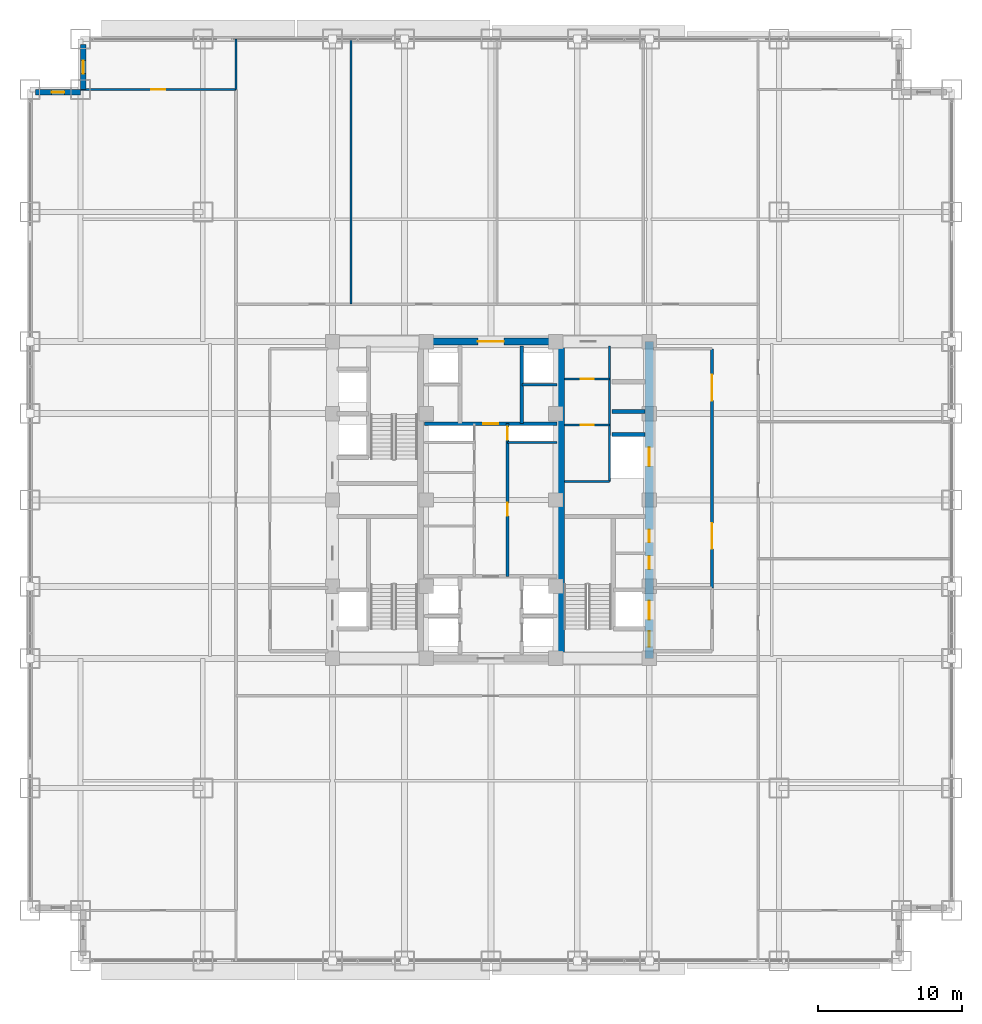
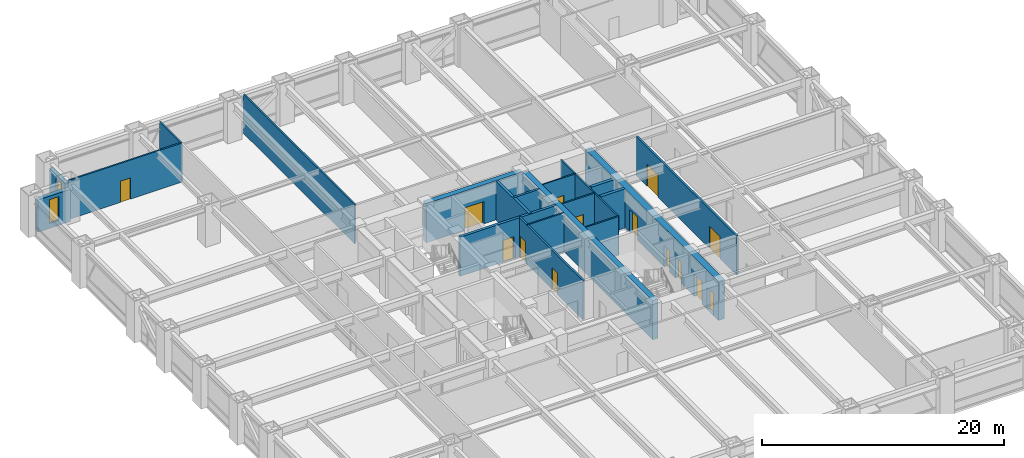
# One storey, part 25 of 31: 20 walls, 14 doors, 2 windows, 16 openings.
"""IFC4 building model written with IfcOpenShell, lengths in metres."""

from ifc_helpers import new_model, si_unit, direction, frame, frame_2d, origin, place, context, subcontext, project, spatial, rectangle, extrude, source, transform, mapped, material, layer, layer_set, type_object, element, fill, save


model = new_model("IFC4")

# Units and contexts
model_context = context("Model", 3, precision=1e-05, world=origin(), true_north=direction((0.0, 1.0)))
body_context = subcontext(model_context, "Body", "Model", "MODEL_VIEW")
ifc_project = project(units=[si_unit("LENGTHUNIT", "METRE"), si_unit("AREAUNIT", "SQUARE_METRE"), si_unit("VOLUMEUNIT", "CUBIC_METRE"), si_unit("PLANEANGLEUNIT", "RADIAN"), si_unit("MASSUNIT", "GRAM", prefix="KILO")], contexts=[model_context])

# Site, building, storey
site_placement = place(None, origin())
site = spatial("IfcSite", under=ifc_project, at=site_placement, CompositionType="ELEMENT")
building_placement = place(site_placement, origin())
building = spatial("IfcBuilding", under=site, at=building_placement, Name="Khorayat Bourse Tower", CompositionType="ELEMENT")
storey_placement = place(building_placement, frame((0.0, 0.0, 36.800048828125)))
storey = spatial("IfcBuildingStorey", under=building, at=storey_placement, Name="L07", CompositionType="ELEMENT", Elevation=36.800048828125)

# Wall, openings, doors
ifc_material_1 = material(Name="Concrete C60/75", Category="concrete")
ifc_layer_1 = layer(ifc_material_1, 0.60009765625)
ifc_layer_set_1 = layer_set([ifc_layer_1], Name="Concrete C60/75")
wall_type_1 = type_object("IfcWallType", Name="WAL-CORE-600", PredefinedType="SHEAR", material=ifc_layer_set_1)
shared_shape_1 = source(origin(), body_context, "Body", "SweptSolid", [
    extrude(rectangle(XDim=22.0, YDim=0.60009765625, at=frame_2d((11.0, 0.0))), origin(), (0.0, 0.0, 1.0), 3.93994140625),
])
wall_1_placement = place(storey_placement, frame((11.0, -11.0, 0.0), z_axis=(0.0, 0.0, 1.0), x_axis=(0.0, 1.0, 0.0)))
wall_1 = element("IfcWall", 1, at=wall_1_placement, inside=storey, type_object=wall_type_1, Name="L07 Core Shear Wall CORE-E", PredefinedType="SHEAR", context=body_context, shape_type="MappedRepresentation", body=[
    mapped(shared_shape_1, transform((0.0, 0.0, 0.0), scale=1.0)),
])
shared_shape_2 = source(origin(), body_context, "Body", "SweptSolid", [
    extrude(rectangle(XDim=1.10009765625, YDim=2.199951171875, at=frame_2d((0.550048828125, 1.10009765625))), frame((0.0, 0.31005859375, 0.0), z_axis=(0.0, -1.0, 0.0), x_axis=(1.0, 0.0, 0.0)), (0.0, 0.0, 1.0), 0.6201171875),
])
opening_1_placement = place(wall_1_placement, frame((0.800048828125, 0.0, 0.0)))
opening_1 = element("IfcOpeningElement", 2, at=opening_1_placement, cuts=wall_1, Name="Opening DI-01", PredefinedType="OPENING", context=body_context, shape_type="MappedRepresentation", body=[
    mapped(shared_shape_2, transform((0.0, 0.0, 0.0), scale=1.0)),
])
shared_shape_3 = source(origin(), body_context, "Body", "SweptSolid", [
    extrude(rectangle(XDim=0.89990234375, YDim=2.14990234375, at=frame_2d((0.449951171875, 1.074951171875))), frame((0.0, 0.31005859375, 0.0), z_axis=(0.0, -1.0, 0.0), x_axis=(1.0, 0.0, 0.0)), (0.0, 0.0, 1.0), 0.6201171875),
])
opening_2_placement = place(wall_1_placement, frame((6.199951171875, 0.0, 0.0)))
opening_2 = element("IfcOpeningElement", 3, at=opening_2_placement, cuts=wall_1, Name="Opening DI-06", PredefinedType="OPENING", context=body_context, shape_type="MappedRepresentation", body=[
    mapped(shared_shape_3, transform((0.0, 0.0, 0.0), scale=1.0)),
])
opening_3_placement = place(wall_1_placement, frame((8.050048828125, 0.0, 0.0)))
opening_3 = element("IfcOpeningElement", 4, at=opening_3_placement, cuts=wall_1, Name="Opening DI-06", PredefinedType="OPENING", context=body_context, shape_type="MappedRepresentation", body=[
    mapped(shared_shape_3, transform((0.0, 0.0, 0.0), scale=1.0)),
])
shared_shape_4 = source(origin(), body_context, "Body", "SweptSolid", [
    extrude(rectangle(XDim=1.300048828125, YDim=2.300048828125, at=frame_2d((0.64990234375, 1.14990234375))), frame((0.0, 0.31005859375, 0.0), z_axis=(0.0, -1.0, 0.0), x_axis=(1.0, 0.0, 0.0)), (0.0, 0.0, 1.0), 0.6201171875),
])
opening_4_placement = place(wall_1_placement, frame((2.699951171875, 0.0, 0.0)))
opening_4 = element("IfcOpeningElement", 5, at=opening_4_placement, cuts=wall_1, Name="Opening LD-02", PredefinedType="OPENING", context=body_context, shape_type="MappedRepresentation", body=[
    mapped(shared_shape_4, transform((0.0, 0.0, 0.0), scale=1.0)),
])
opening_5_placement = place(wall_1_placement, frame((13.35009765625, 0.0, 0.0)))
opening_5 = element("IfcOpeningElement", 6, at=opening_5_placement, cuts=wall_1, Name="Opening LD-02", PredefinedType="OPENING", context=body_context, shape_type="MappedRepresentation", body=[
    mapped(shared_shape_4, transform((0.0, 0.0, 0.0), scale=1.0)),
])
ifc_material_2 = material(Name="Fire-rated steel acoustic leaf", Category="steel")
door_type_1 = type_object("IfcDoorType", Name="DR-INT-STAIR-1100", OperationType="NOTDEFINED", PredefinedType="DOOR", material=ifc_material_2)
shared_shape_5 = source(origin(), body_context, "Body", "SweptSolid", [
    extrude(rectangle(XDim=1.10009765625, YDim=2.199951171875, at=frame_2d((0.550048828125, 1.10009765625))), frame((0.0, 0.02490234375, 0.0), z_axis=(0.0, -1.0, 0.0), x_axis=(1.0, 0.0, 0.0)), (0.0, 0.0, 1.0), 0.050048828125),
])
door_1_placement = place(opening_1_placement, origin())
door_1 = element("IfcDoor", 7, at=door_1_placement, inside=storey, type_object=door_type_1, Name="L07 Exit Stair 3 Door", OperationType="SINGLE_SWING_LEFT", OverallHeight=2.199951171875, OverallWidth=1.10009765625, PredefinedType="DOOR", context=body_context, shape_type="MappedRepresentation", body=[
    mapped(shared_shape_5, transform((0.0, 0.0, 0.0), scale=1.0)),
])
fill(opening_1, door_1)
ifc_material_3 = material(Name="Moisture-resistant laminate washroom door")
door_type_2 = type_object("IfcDoorType", Name="DR-INT-WC-900", OperationType="NOTDEFINED", PredefinedType="DOOR", material=ifc_material_3)
shared_shape_6 = source(origin(), body_context, "Body", "SweptSolid", [
    extrude(rectangle(XDim=0.89990234375, YDim=2.14990234375, at=frame_2d((0.449951171875, 1.074951171875))), frame((0.0, 0.02490234375, 0.0), z_axis=(0.0, -1.0, 0.0), x_axis=(1.0, 0.0, 0.0)), (0.0, 0.0, 1.0), 0.050048828125),
])
door_2_placement = place(opening_2_placement, origin())
door_2 = element("IfcDoor", 8, at=door_2_placement, inside=storey, type_object=door_type_2, Name="L07 Comms Closet Door", OperationType="SINGLE_SWING_LEFT", OverallHeight=2.14990234375, OverallWidth=0.89990234375, PredefinedType="DOOR", context=body_context, shape_type="MappedRepresentation", body=[
    mapped(shared_shape_6, transform((0.0, 0.0, 0.0), scale=1.0)),
])
fill(opening_2, door_2)
door_3_placement = place(opening_3_placement, origin())
door_3 = element("IfcDoor", 9, at=door_3_placement, inside=storey, type_object=door_type_2, Name="L07 Cleaner Store Door", OperationType="SINGLE_SWING_RIGHT", OverallHeight=2.14990234375, OverallWidth=0.89990234375, PredefinedType="DOOR", context=body_context, shape_type="MappedRepresentation", body=[
    mapped(shared_shape_6, transform((0.0, 0.0, 0.0), scale=1.0)),
])
fill(opening_3, door_3)
ifc_material_4 = material(Name="Fire-rated stainless-steel sliding landing door", Category="steel")
door_type_3 = type_object("IfcDoorType", Name="DR-LIFT-FF-1300", OperationType="NOTDEFINED", PredefinedType="DOOR", material=ifc_material_4)
shared_shape_7 = source(origin(), body_context, "Body", "SweptSolid", [
    extrude(rectangle(XDim=1.300048828125, YDim=2.300048828125, at=frame_2d((0.64990234375, 1.14990234375))), frame((0.0, 0.02490234375, 0.0), z_axis=(0.0, -1.0, 0.0), x_axis=(1.0, 0.0, 0.0)), (0.0, 0.0, 1.0), 0.050048828125),
])
door_4_placement = place(opening_4_placement, origin())
door_4 = element("IfcDoor", 10, at=door_4_placement, inside=storey, type_object=door_type_3, Name="L07 Lift FFL-02 Sliding Landing Door", OperationType="SLIDING_TO_LEFT", OverallHeight=2.300048828125, OverallWidth=1.300048828125, PredefinedType="DOOR", context=body_context, shape_type="MappedRepresentation", body=[
    mapped(shared_shape_7, transform((0.0, 0.0, 0.0), scale=1.0)),
])
fill(opening_4, door_4)
door_5_placement = place(opening_5_placement, origin())
door_5 = element("IfcDoor", 11, at=door_5_placement, inside=storey, type_object=door_type_3, Name="L07 Lift SVL-01 Sliding Landing Door", OperationType="SLIDING_TO_LEFT", OverallHeight=2.300048828125, OverallWidth=1.300048828125, PredefinedType="DOOR", context=body_context, shape_type="MappedRepresentation", body=[
    mapped(shared_shape_7, transform((0.0, 0.0, 0.0), scale=1.0)),
])
fill(opening_5, door_5)

# Wall
ifc_material_5 = material(Name="Concrete C52/65", Category="concrete")
ifc_layer_2 = layer(ifc_material_5, 0.5)
ifc_layer_set_2 = layer_set([ifc_layer_2], Name="Concrete C52/65")
wall_type_2 = type_object("IfcWallType", Name="WAL-CORE-500", PredefinedType="SHEAR", material=ifc_layer_set_2)
shared_shape_8 = source(origin(), body_context, "Body", "SweptSolid", [
    extrude(rectangle(XDim=21.39990234375, YDim=0.5, at=frame_2d((10.699951171875, 0.0))), origin(), (0.0, 0.0, 1.0), 3.93994140625),
])
wall_2_placement = place(storey_placement, frame((4.85009765625, -10.699951171875, 0.0), z_axis=(0.0, 0.0, 1.0), x_axis=(0.0, 1.0, 0.0)))
element("IfcWall", 12, at=wall_2_placement, inside=storey, type_object=wall_type_2, Name="L07 Core Shear Wall PIER-E", PredefinedType="SHEAR", context=body_context, shape_type="MappedRepresentation", body=[
    mapped(shared_shape_8, transform((0.0, 0.0, 0.0), scale=1.0)),
])

# Wall, opening, door
shared_shape_9 = source(origin(), body_context, "Body", "SweptSolid", [
    extrude(rectangle(XDim=9.2001953125, YDim=0.5, at=frame_2d((4.60009765625, 0.0))), origin(), (0.0, 0.0, 1.0), 3.93994140625),
])
wall_3_placement = place(storey_placement, frame((-4.60009765625, 11.0, 0.0), z_axis=(0.0, 0.0, 1.0), x_axis=(1.0, 0.0, 0.0)))
wall_3 = element("IfcWall", 13, at=wall_3_placement, inside=storey, type_object=wall_type_2, Name="L07 Core Shear Wall CORE-N", PredefinedType="SHEAR", context=body_context, shape_type="MappedRepresentation", body=[
    mapped(shared_shape_9, transform((0.0, 0.0, 0.0), scale=1.0)),
])
shared_shape_10 = source(origin(), body_context, "Body", "SweptSolid", [
    extrude(rectangle(XDim=1.800048828125, YDim=2.25, at=frame_2d((0.89990234375, 1.125))), frame((0.0, 0.260009765625, 0.0), z_axis=(0.0, -1.0, 0.0), x_axis=(1.0, 0.0, 0.0)), (0.0, 0.0, 1.0), 0.52001953125),
])
opening_6_placement = place(wall_3_placement, frame((3.699951171875, 0.0, 0.0)))
opening_6 = element("IfcOpeningElement", 14, at=opening_6_placement, cuts=wall_3, Name="Opening DI-03", PredefinedType="OPENING", context=body_context, shape_type="MappedRepresentation", body=[
    mapped(shared_shape_10, transform((0.0, 0.0, 0.0), scale=1.0)),
])
ifc_material_6 = material(Name="Fire-rated hardwood vision-panel double leaf", Category="wood")
door_type_4 = type_object("IfcDoorType", Name="DR-INT-CORR-1800", OperationType="NOTDEFINED", PredefinedType="DOOR", material=ifc_material_6)
shared_shape_11 = source(origin(), body_context, "Body", "SweptSolid", [
    extrude(rectangle(XDim=1.800048828125, YDim=2.25, at=frame_2d((0.89990234375, 1.125))), frame((0.0, 0.02490234375, 0.0), z_axis=(0.0, -1.0, 0.0), x_axis=(1.0, 0.0, 0.0)), (0.0, 0.0, 1.0), 0.050048828125),
])
door_6_placement = place(opening_6_placement, origin())
door_6 = element("IfcDoor", 15, at=door_6_placement, inside=storey, type_object=door_type_4, Name="L07 Mid-Rise Lift Lobby Door", OperationType="SINGLE_SWING_RIGHT", OverallHeight=2.25, OverallWidth=1.800048828125, PredefinedType="DOOR", context=body_context, shape_type="MappedRepresentation", body=[
    mapped(shared_shape_11, transform((0.0, 0.0, 0.0), scale=1.0)),
])
fill(opening_6, door_6)

# Wall, opening, window
ifc_material_7 = material(Name="Precast concrete C45/55", Category="concrete")
ifc_layer_3 = layer(ifc_material_7, 0.3798828125)
ifc_layer_set_3 = layer_set([ifc_layer_3], Name="Precast concrete C45/55")
wall_type_3 = type_object("IfcWallType", Name="WAL-EXT-STONE-380", PredefinedType="STANDARD", material=ifc_layer_set_3)
shared_shape_12 = source(origin(), body_context, "Body", "SweptSolid", [
    extrude(rectangle(XDim=3.1201171875, YDim=0.3798828125, at=frame_2d((1.56005859375, 0.0))), origin(), (0.0, 0.0, 1.0), 3.244873046875),
])
wall_4_placement = place(storey_placement, frame((-28.31005859375, 28.5, 0.0), z_axis=(0.0, 0.0, 1.0), x_axis=(0.0, 1.0, 0.0)))
wall_4 = element("IfcWall", 16, at=wall_4_placement, inside=storey, type_object=wall_type_3, Name="L07 Re-Entrant Notch Limestone Wall NW-V", PredefinedType="STANDARD", context=body_context, shape_type="MappedRepresentation", body=[
    mapped(shared_shape_12, transform((0.0, 0.0, 0.0), scale=1.0)),
])
shared_shape_13 = source(origin(), body_context, "Body", "SweptSolid", [
    extrude(rectangle(XDim=0.89990234375, YDim=2.39990234375, at=frame_2d((0.449951171875, 1.199951171875))), frame((0.0, 0.199951171875, 0.0), z_axis=(0.0, -1.0, 0.0), x_axis=(1.0, 0.0, 0.0)), (0.0, 0.0, 1.0), 0.39990234375),
])
opening_7_placement = place(wall_4_placement, frame((1.110107421875, 0.0, 0.5)))
opening_7 = element("IfcOpeningElement", 17, at=opening_7_placement, cuts=wall_4, Name="Opening WN-03", PredefinedType="OPENING", context=body_context, shape_type="MappedRepresentation", body=[
    mapped(shared_shape_13, transform((0.0, 0.0, 0.0), scale=1.0)),
])
ifc_material_8 = material(Name="Deep-reveal solar-control double glazing", Category="glass")
window_type = type_object("IfcWindowType", Name="WIN-SLOT-900x2400", PartitioningType="SINGLE_PANEL", PredefinedType="WINDOW", material=ifc_material_8)
shared_shape_14 = source(origin(), body_context, "Body", "SweptSolid", [
    extrude(rectangle(XDim=0.89990234375, YDim=2.39990234375, at=frame_2d((0.449951171875, 1.199951171875))), frame((0.0, 0.030029296875, 0.0), z_axis=(0.0, -1.0, 0.0), x_axis=(1.0, 0.0, 0.0)), (0.0, 0.0, 1.0), 0.06005859375),
])
window_1_placement = place(opening_7_placement, origin())
window_1 = element("IfcWindow", 18, at=window_1_placement, inside=storey, type_object=window_type, Name="L07 Facade Window 1", OverallHeight=2.39990234375, OverallWidth=0.89990234375, PartitioningType="SINGLE_PANEL", PredefinedType="WINDOW", context=body_context, shape_type="MappedRepresentation", body=[
    mapped(shared_shape_14, transform((0.0, 0.0, 0.0), scale=1.0)),
])
fill(opening_7, window_1)

wall_5_placement = place(storey_placement, frame((-28.5, 28.31005859375, 0.0), z_axis=(0.0, 0.0, 1.0), x_axis=(-1.0, 0.0, 0.0)))
wall_5 = element("IfcWall", 19, at=wall_5_placement, inside=storey, type_object=wall_type_3, Name="L07 Re-Entrant Notch Limestone Wall NW-H", PredefinedType="STANDARD", context=body_context, shape_type="MappedRepresentation", body=[
    mapped(shared_shape_12, transform((0.0, 0.0, 0.0), scale=1.0)),
])
opening_8_placement = place(wall_5_placement, frame((1.110107421875, 0.0, 0.5)))
opening_8 = element("IfcOpeningElement", 20, at=opening_8_placement, cuts=wall_5, Name="Opening WN-03", PredefinedType="OPENING", context=body_context, shape_type="MappedRepresentation", body=[
    mapped(shared_shape_13, transform((0.0, 0.0, 0.0), scale=1.0)),
])
window_2_placement = place(opening_8_placement, origin())
window_2 = element("IfcWindow", 21, at=window_2_placement, inside=storey, type_object=window_type, Name="L07 Facade Window 1", OverallHeight=2.39990234375, OverallWidth=0.89990234375, PartitioningType="SINGLE_PANEL", PredefinedType="WINDOW", context=body_context, shape_type="MappedRepresentation", body=[
    mapped(shared_shape_14, transform((0.0, 0.0, 0.0), scale=1.0)),
])
fill(opening_8, window_2)

# Walls
ifc_material_9 = material(Name="Concrete C50/60", Category="concrete")
ifc_layer_4 = layer(ifc_material_9, 0.300048828125)
ifc_layer_set_4 = layer_set([ifc_layer_4], Name="Concrete C50/60")
wall_type_4 = type_object("IfcWallType", Name="WAL-SHAFT-300", PredefinedType="SHEAR", material=ifc_layer_set_4)
shared_shape_15 = source(origin(), body_context, "Body", "SweptSolid", [
    extrude(rectangle(XDim=2.300048828125, YDim=0.300048828125, at=frame_2d((1.14990234375, 0.0))), origin(), (0.0, 0.0, 1.0), 3.93994140625),
])
for number, where, z_axis, x_axis, name in (
    (22, (8.39990234375, 4.550048828125, 0.0), (0.0, 0.0, 1.0), (1.0, 0.0, 0.0), "L07 Partition WAL-L07-EPIER-SVLN"),
    (23, (8.39990234375, 6.14990234375, 0.0), (0.0, 0.0, 1.0), (1.0, 0.0, 0.0), "L07 Partition WAL-L07-EPIER-H3S"),
):
    element("IfcWall", number, at=place(storey_placement, frame(where, z_axis=z_axis, x_axis=x_axis)), inside=storey, type_object=wall_type_4, Name=name, PredefinedType="SHEAR", context=body_context, shape_type="MappedRepresentation", body=[
        mapped(shared_shape_15, transform((0.0, 0.0, 0.0), scale=1.0)),
    ])
ifc_material_10 = material(Name="Moisture-resistant masonry partition", Category="masonry")
ifc_layer_5 = layer(ifc_material_10, 0.139892578125)
ifc_layer_set_5 = layer_set([ifc_layer_5], Name="Moisture-resistant masonry partition")
wall_type_5 = type_object("IfcWallType", Name="WAL-PART-WET-140", PredefinedType="PARTITIONING", material=ifc_layer_set_5)
shared_shape_16 = source(origin(), body_context, "Body", "SweptSolid", [
    extrude(rectangle(XDim=9.39990234375, YDim=0.139892578125, at=frame_2d((4.699951171875, 0.0))), origin(), (0.0, 0.0, 1.0), 3.93994140625),
])
wall_6_placement = place(storey_placement, frame((8.25, 1.300048828125, 0.0), z_axis=(0.0, 0.0, 1.0), x_axis=(0.0, 1.0, 0.0)))
element("IfcWall", 24, at=wall_6_placement, inside=storey, type_object=wall_type_5, Name="L07 Partition WAL-L07-ECORE-E", PredefinedType="PARTITIONING", context=body_context, shape_type="MappedRepresentation", body=[
    mapped(shared_shape_16, transform((0.0, 0.0, 0.0), scale=1.0)),
])
shared_shape_17 = source(origin(), body_context, "Body", "SweptSolid", [
    extrude(rectangle(XDim=3.14990234375, YDim=0.139892578125, at=frame_2d((1.574951171875, 0.0))), origin(), (0.0, 0.0, 1.0), 3.93994140625),
])
wall_7_placement = place(storey_placement, frame((5.10009765625, 1.300048828125, 0.0), z_axis=(0.0, 0.0, 1.0), x_axis=(1.0, 0.0, 0.0)))
element("IfcWall", 25, at=wall_7_placement, inside=storey, type_object=wall_type_5, Name="L07 Partition WAL-L07-ECORE-S", PredefinedType="PARTITIONING", context=body_context, shape_type="MappedRepresentation", body=[
    mapped(shared_shape_17, transform((0.0, 0.0, 0.0), scale=1.0)),
])

# Wall, opening, door
wall_8_placement = place(storey_placement, frame((5.10009765625, 8.39990234375, 0.0), z_axis=(0.0, 0.0, 1.0), x_axis=(1.0, 0.0, 0.0)))
wall_8 = element("IfcWall", 26, at=wall_8_placement, inside=storey, type_object=wall_type_5, Name="L07 Partition WAL-L07-ECW-TOP", PredefinedType="PARTITIONING", context=body_context, shape_type="MappedRepresentation", body=[
    mapped(shared_shape_17, transform((0.0, 0.0, 0.0), scale=1.0)),
])
shared_shape_18 = source(origin(), body_context, "Body", "SweptSolid", [
    extrude(rectangle(XDim=0.89990234375, YDim=2.14990234375, at=frame_2d((0.449951171875, 1.074951171875))), frame((0.0, 0.079833984375, 0.0), z_axis=(0.0, -1.0, 0.0), x_axis=(1.0, 0.0, 0.0)), (0.0, 0.0, 1.0), 0.159912109375),
])
opening_9_placement = place(wall_8_placement, frame((1.1298828125, 0.0, 0.0)))
opening_9 = element("IfcOpeningElement", 27, at=opening_9_placement, cuts=wall_8, Name="Opening DI-06", PredefinedType="OPENING", context=body_context, shape_type="MappedRepresentation", body=[
    mapped(shared_shape_18, transform((0.0, 0.0, 0.0), scale=1.0)),
])
door_7_placement = place(opening_9_placement, origin())
door_7 = element("IfcDoor", 28, at=door_7_placement, inside=storey, type_object=door_type_2, Name="L07 Accessible WC Door", OperationType="SINGLE_SWING_LEFT", OverallHeight=2.14990234375, OverallWidth=0.89990234375, PredefinedType="DOOR", context=body_context, shape_type="MappedRepresentation", body=[
    mapped(shared_shape_6, transform((0.0, 0.0, 0.0), scale=1.0)),
])
fill(opening_9, door_7)

wall_9_placement = place(storey_placement, frame((5.10009765625, 5.199951171875, 0.0), z_axis=(0.0, 0.0, 1.0), x_axis=(1.0, 0.0, 0.0)))
wall_9 = element("IfcWall", 29, at=wall_9_placement, inside=storey, type_object=wall_type_5, Name="L07 Partition WAL-L07-ECW-HZ", PredefinedType="PARTITIONING", context=body_context, shape_type="MappedRepresentation", body=[
    mapped(shared_shape_17, transform((0.0, 0.0, 0.0), scale=1.0)),
])
opening_10_placement = place(wall_9_placement, frame((1.1298828125, 0.0, 0.0)))
opening_10 = element("IfcOpeningElement", 30, at=opening_10_placement, cuts=wall_9, Name="Opening DI-06", PredefinedType="OPENING", context=body_context, shape_type="MappedRepresentation", body=[
    mapped(shared_shape_18, transform((0.0, 0.0, 0.0), scale=1.0)),
])
door_8_placement = place(opening_10_placement, origin())
door_8 = element("IfcDoor", 31, at=door_8_placement, inside=storey, type_object=door_type_2, Name="L07 Shared Washroom Door", OperationType="SINGLE_SWING_RIGHT", OverallHeight=2.14990234375, OverallWidth=0.89990234375, PredefinedType="DOOR", context=body_context, shape_type="MappedRepresentation", body=[
    mapped(shared_shape_6, transform((0.0, 0.0, 0.0), scale=1.0)),
])
fill(opening_10, door_8)

# Wall, openings, doors
ifc_material_11 = material(Name="Gypsum plasterboard acoustic stud wall")
ifc_layer_6 = layer(ifc_material_11, 0.179931640625)
ifc_layer_set_6 = layer_set([ifc_layer_6], Name="Gypsum plasterboard acoustic stud wall")
wall_type_6 = type_object("IfcWallType", Name="WAL-PART-CORR-180", PredefinedType="PARTITIONING", material=ifc_layer_set_6)
shared_shape_19 = source(origin(), body_context, "Body", "SweptSolid", [
    extrude(rectangle(XDim=16.60009765625, YDim=0.179931640625, at=frame_2d((8.300048828125, 0.0))), origin(), (0.0, 0.0, 1.0), 3.93994140625),
])
wall_10_placement = place(storey_placement, frame((15.35009765625, -6.10009765625, 0.0), z_axis=(0.0, 0.0, 1.0), x_axis=(0.0, 1.0, 0.0)))
wall_10 = element("IfcWall", 32, at=wall_10_placement, inside=storey, type_object=wall_type_6, Name="L07 Partition WAL-L07-ELOB-E", PredefinedType="PARTITIONING", context=body_context, shape_type="MappedRepresentation", body=[
    mapped(shared_shape_19, transform((0.0, 0.0, 0.0), scale=1.0)),
])
shared_shape_20 = source(origin(), body_context, "Body", "SweptSolid", [
    extrude(rectangle(XDim=1.800048828125, YDim=2.25, at=frame_2d((0.89990234375, 1.125))), frame((0.0, 0.099853515625, 0.0), z_axis=(0.0, -1.0, 0.0), x_axis=(1.0, 0.0, 0.0)), (0.0, 0.0, 1.0), 0.199951171875),
])
opening_11_placement = place(wall_10_placement, frame((2.699951171875, 0.0, 0.0)))
opening_11 = element("IfcOpeningElement", 33, at=opening_11_placement, cuts=wall_10, Name="Opening DI-03", PredefinedType="OPENING", context=body_context, shape_type="MappedRepresentation", body=[
    mapped(shared_shape_20, transform((0.0, 0.0, 0.0), scale=1.0)),
])
opening_12_placement = place(wall_10_placement, frame((13.0, 0.0, 0.0)))
opening_12 = element("IfcOpeningElement", 34, at=opening_12_placement, cuts=wall_10, Name="Opening DI-03", PredefinedType="OPENING", context=body_context, shape_type="MappedRepresentation", body=[
    mapped(shared_shape_20, transform((0.0, 0.0, 0.0), scale=1.0)),
])
door_9_placement = place(opening_11_placement, origin())
door_9 = element("IfcDoor", 35, at=door_9_placement, inside=storey, type_object=door_type_4, Name="L07 East Core Lobby South Door", OperationType="SINGLE_SWING_RIGHT", OverallHeight=2.25, OverallWidth=1.800048828125, PredefinedType="DOOR", context=body_context, shape_type="MappedRepresentation", body=[
    mapped(shared_shape_11, transform((0.0, 0.0, 0.0), scale=1.0)),
])
fill(opening_11, door_9)
door_10_placement = place(opening_12_placement, origin())
door_10 = element("IfcDoor", 36, at=door_10_placement, inside=storey, type_object=door_type_4, Name="L07 East Core Lobby North Door", OperationType="SINGLE_SWING_LEFT", OverallHeight=2.25, OverallWidth=1.800048828125, PredefinedType="DOOR", context=body_context, shape_type="MappedRepresentation", body=[
    mapped(shared_shape_11, transform((0.0, 0.0, 0.0), scale=1.0)),
])
fill(opening_12, door_10)

# Walls
ifc_material_12 = material(Name="Gypsum plasterboard twin-frame partition")
ifc_layer_7 = layer(ifc_material_12, 0.14990234375)
ifc_layer_set_7 = layer_set([ifc_layer_7], Name="Gypsum plasterboard twin-frame partition")
wall_type_7 = type_object("IfcWallType", Name="WAL-PART-SUITE-150", PredefinedType="PARTITIONING", material=ifc_layer_set_7)
shared_shape_21 = source(origin(), body_context, "Body", "SweptSolid", [
    extrude(rectangle(XDim=3.4501953125, YDim=0.14990234375, at=frame_2d((1.72509765625, 0.0))), origin(), (0.0, 0.0, 1.0), 3.93994140625),
])
wall_11_placement = place(storey_placement, frame((1.14990234375, 4.0, 0.0), z_axis=(0.0, 0.0, 1.0), x_axis=(1.0, 0.0, 0.0)))
element("IfcWall", 37, at=wall_11_placement, inside=storey, type_object=wall_type_7, Name="L07 Partition WAL-L07-CRSE-S", PredefinedType="PARTITIONING", context=body_context, shape_type="MappedRepresentation", body=[
    mapped(shared_shape_21, transform((0.0, 0.0, 0.0), scale=1.0)),
])
shared_shape_22 = source(origin(), body_context, "Body", "SweptSolid", [
    extrude(rectangle(XDim=5.39990234375, YDim=0.25, at=frame_2d((2.699951171875, 0.0))), origin(), (0.0, 0.0, 1.0), 3.93994140625),
])
wall_12_placement = place(storey_placement, frame((2.14990234375, 5.300048828125, 0.0), z_axis=(0.0, 0.0, 1.0), x_axis=(0.0, 1.0, 0.0)))
element("IfcWall", 38, at=wall_12_placement, inside=storey, type_object=wall_type_4, Name="L07 Partition WAL-L07-B2-E", PredefinedType="SHEAR", context=body_context, shape_type="MappedRepresentation", body=[
    mapped(shared_shape_22, transform((0.0, 0.0, 0.0), scale=1.0)),
])
shared_shape_23 = source(origin(), body_context, "Body", "SweptSolid", [
    extrude(rectangle(XDim=2.4501953125, YDim=0.199951171875, at=frame_2d((1.22509765625, 0.0))), origin(), (0.0, 0.0, 1.0), 3.93994140625),
])
wall_13_placement = place(storey_placement, frame((2.14990234375, 8.0, 0.0), z_axis=(0.0, 0.0, 1.0), x_axis=(1.0, 0.0, 0.0)))
element("IfcWall", 39, at=wall_13_placement, inside=storey, type_object=wall_type_4, Name="L07 Partition WAL-L07-B2-ME", PredefinedType="SHEAR", context=body_context, shape_type="MappedRepresentation", body=[
    mapped(shared_shape_23, transform((0.0, 0.0, 0.0), scale=1.0)),
])

# Wall, opening, door
shared_shape_24 = source(origin(), body_context, "Body", "SweptSolid", [
    extrude(rectangle(XDim=9.2001953125, YDim=0.25, at=frame_2d((4.60009765625, 0.0))), origin(), (0.0, 0.0, 1.0), 3.93994140625),
])
wall_14_placement = place(storey_placement, frame((-4.60009765625, 5.300048828125, 0.0), z_axis=(0.0, 0.0, 1.0), x_axis=(1.0, 0.0, 0.0)))
wall_14 = element("IfcWall", 40, at=wall_14_placement, inside=storey, type_object=wall_type_4, Name="L07 Partition WAL-L07-B2-S", PredefinedType="SHEAR", context=body_context, shape_type="MappedRepresentation", body=[
    mapped(shared_shape_24, transform((0.0, 0.0, 0.0), scale=1.0)),
])
shared_shape_25 = source(origin(), body_context, "Body", "SweptSolid", [
    extrude(rectangle(XDim=1.050048828125, YDim=2.199951171875, at=frame_2d((0.52490234375, 1.10009765625))), frame((0.0, 0.135009765625, 0.0), z_axis=(0.0, -1.0, 0.0), x_axis=(1.0, 0.0, 0.0)), (0.0, 0.0, 1.0), 0.27001953125),
])
opening_13_placement = place(wall_14_placement, frame((4.074951171875, 0.0, 0.0)))
opening_13 = element("IfcOpeningElement", 41, at=opening_13_placement, cuts=wall_14, Name="Opening DI-04", PredefinedType="OPENING", context=body_context, shape_type="MappedRepresentation", body=[
    mapped(shared_shape_25, transform((0.0, 0.0, 0.0), scale=1.0)),
])
ifc_material_13 = material(Name="Fire-rated oak veneer suite entrance door")
door_type_5 = type_object("IfcDoorType", Name="DR-INT-SUITE-1050", OperationType="NOTDEFINED", PredefinedType="DOOR", material=ifc_material_13)
shared_shape_26 = source(origin(), body_context, "Body", "SweptSolid", [
    extrude(rectangle(XDim=1.050048828125, YDim=2.199951171875, at=frame_2d((0.52490234375, 1.10009765625))), frame((0.0, 0.02490234375, 0.0), z_axis=(0.0, -1.0, 0.0), x_axis=(1.0, 0.0, 0.0)), (0.0, 0.0, 1.0), 0.050048828125),
])
door_11_placement = place(opening_13_placement, origin())
door_11 = element("IfcDoor", 42, at=door_11_placement, inside=storey, type_object=door_type_5, Name="L07 Core Spine North Door", OperationType="SINGLE_SWING_RIGHT", OverallHeight=2.199951171875, OverallWidth=1.050048828125, PredefinedType="DOOR", context=body_context, shape_type="MappedRepresentation", body=[
    mapped(shared_shape_26, transform((0.0, 0.0, 0.0), scale=1.0)),
])
fill(opening_13, door_11)

# Wall, openings, doors
shared_shape_27 = source(origin(), body_context, "Body", "SweptSolid", [
    extrude(rectangle(XDim=10.60009765625, YDim=0.179931640625, at=frame_2d((5.300048828125, 0.0))), origin(), (0.0, 0.0, 1.0), 3.93994140625),
])
wall_15_placement = place(storey_placement, frame((1.14990234375, -5.300048828125, 0.0), z_axis=(0.0, 0.0, 1.0), x_axis=(0.0, 1.0, 0.0)))
wall_15 = element("IfcWall", 43, at=wall_15_placement, inside=storey, type_object=wall_type_6, Name="L07 Partition WAL-L07-CME-L", PredefinedType="PARTITIONING", context=body_context, shape_type="MappedRepresentation", body=[
    mapped(shared_shape_27, transform((0.0, 0.0, 0.0), scale=1.0)),
])
shared_shape_28 = source(origin(), body_context, "Body", "SweptSolid", [
    extrude(rectangle(XDim=0.89990234375, YDim=2.14990234375, at=frame_2d((0.449951171875, 1.074951171875))), frame((0.0, 0.099853515625, 0.0), z_axis=(0.0, -1.0, 0.0), x_axis=(1.0, 0.0, 0.0)), (0.0, 0.0, 1.0), 0.199951171875),
])
opening_14_placement = place(wall_15_placement, frame((4.199951171875, 0.0, 0.0)))
opening_14 = element("IfcOpeningElement", 44, at=opening_14_placement, cuts=wall_15, Name="Opening DI-06", PredefinedType="OPENING", context=body_context, shape_type="MappedRepresentation", body=[
    mapped(shared_shape_28, transform((0.0, 0.0, 0.0), scale=1.0)),
])
opening_15_placement = place(wall_15_placement, frame((9.47509765625, 0.0, 0.0)))
opening_15 = element("IfcOpeningElement", 45, at=opening_15_placement, cuts=wall_15, Name="Opening DI-06", PredefinedType="OPENING", context=body_context, shape_type="MappedRepresentation", body=[
    mapped(shared_shape_28, transform((0.0, 0.0, 0.0), scale=1.0)),
])
door_12_placement = place(opening_14_placement, origin())
door_12 = element("IfcDoor", 46, at=door_12_placement, inside=storey, type_object=door_type_2, Name="L07 Female Core Washroom Door", OperationType="SINGLE_SWING_RIGHT", OverallHeight=2.14990234375, OverallWidth=0.89990234375, PredefinedType="DOOR", context=body_context, shape_type="MappedRepresentation", body=[
    mapped(shared_shape_6, transform((0.0, 0.0, 0.0), scale=1.0)),
])
fill(opening_14, door_12)
door_13_placement = place(opening_15_placement, origin())
door_13 = element("IfcDoor", 47, at=door_13_placement, inside=storey, type_object=door_type_2, Name="L07 East Core Riser Door", OperationType="SINGLE_SWING_RIGHT", OverallHeight=2.14990234375, OverallWidth=0.89990234375, PredefinedType="DOOR", context=body_context, shape_type="MappedRepresentation", body=[
    mapped(shared_shape_6, transform((0.0, 0.0, 0.0), scale=1.0)),
])
fill(opening_15, door_13)

# Walls
shared_shape_29 = source(origin(), body_context, "Body", "SweptSolid", [
    extrude(rectangle(XDim=18.39990234375, YDim=0.14990234375, at=frame_2d((9.199951171875, 0.0))), origin(), (0.0, 0.0, 1.0), 3.93994140625),
])
wall_16_placement = place(storey_placement, frame((-9.72509765625, 13.60009765625, 0.0), z_axis=(0.0, 0.0, 1.0), x_axis=(0.0, 1.0, 0.0)))
element("IfcWall", 48, at=wall_16_placement, inside=storey, type_object=wall_type_7, Name="L07 Partition WAL-L07-NDV-1", PredefinedType="PARTITIONING", context=body_context, shape_type="MappedRepresentation", body=[
    mapped(shared_shape_29, transform((0.0, 0.0, 0.0), scale=1.0)),
])
shared_shape_30 = source(origin(), body_context, "Body", "SweptSolid", [
    extrude(rectangle(XDim=3.5, YDim=0.14990234375, at=frame_2d((1.75, 0.0))), origin(), (0.0, 0.0, 1.0), 3.93994140625),
])
wall_17_placement = place(storey_placement, frame((-17.699951171875, 28.5, 0.0), z_axis=(0.0, 0.0, 1.0), x_axis=(0.0, 1.0, 0.0)))
element("IfcWall", 49, at=wall_17_placement, inside=storey, type_object=wall_type_7, Name="L07 Partition WAL-L07-NCW-END", PredefinedType="PARTITIONING", context=body_context, shape_type="MappedRepresentation", body=[
    mapped(shared_shape_30, transform((0.0, 0.0, 0.0), scale=1.0)),
])

# Wall, opening, door
shared_shape_31 = source(origin(), body_context, "Body", "SweptSolid", [
    extrude(rectangle(XDim=10.800048828125, YDim=0.14990234375, at=frame_2d((5.39990234375, 0.0))), origin(), (0.0, 0.0, 1.0), 3.93994140625),
])
wall_18_placement = place(storey_placement, frame((-28.5, 28.5, 0.0), z_axis=(0.0, 0.0, 1.0), x_axis=(1.0, 0.0, 0.0)))
wall_18 = element("IfcWall", 50, at=wall_18_placement, inside=storey, type_object=wall_type_7, Name="L07 Partition WAL-L07-CNW", PredefinedType="PARTITIONING", context=body_context, shape_type="MappedRepresentation", body=[
    mapped(shared_shape_31, transform((0.0, 0.0, 0.0), scale=1.0)),
])
shared_shape_32 = source(origin(), body_context, "Body", "SweptSolid", [
    extrude(rectangle(XDim=0.949951171875, YDim=2.14990234375, at=frame_2d((0.47509765625, 1.074951171875))), frame((0.0, 0.0849609375, 0.0), z_axis=(0.0, -1.0, 0.0), x_axis=(1.0, 0.0, 0.0)), (0.0, 0.0, 1.0), 0.169921875),
])
opening_16_placement = place(wall_18_placement, frame((4.925048828125, 0.0, 0.0)))
opening_16 = element("IfcOpeningElement", 51, at=opening_16_placement, cuts=wall_18, Name="Opening DI-05", PredefinedType="OPENING", context=body_context, shape_type="MappedRepresentation", body=[
    mapped(shared_shape_32, transform((0.0, 0.0, 0.0), scale=1.0)),
])
ifc_material_14 = material(Name="Acoustic oak veneer office door")
door_type_6 = type_object("IfcDoorType", Name="DR-INT-OFFICE-950", OperationType="NOTDEFINED", PredefinedType="DOOR", material=ifc_material_14)
shared_shape_33 = source(origin(), body_context, "Body", "SweptSolid", [
    extrude(rectangle(XDim=0.949951171875, YDim=2.14990234375, at=frame_2d((0.47509765625, 1.074951171875))), frame((0.0, 0.02490234375, 0.0), z_axis=(0.0, -1.0, 0.0), x_axis=(1.0, 0.0, 0.0)), (0.0, 0.0, 1.0), 0.050048828125),
])
door_14_placement = place(opening_16_placement, origin())
door_14 = element("IfcDoor", 52, at=door_14_placement, inside=storey, type_object=door_type_6, Name="L07 North-West Corner Meeting Room Door", OperationType="SINGLE_SWING_LEFT", OverallHeight=2.14990234375, OverallWidth=0.949951171875, PredefinedType="DOOR", context=body_context, shape_type="MappedRepresentation", body=[
    mapped(shared_shape_33, transform((0.0, 0.0, 0.0), scale=1.0)),
])
fill(opening_16, door_14)

save(model, "model.ifc")
